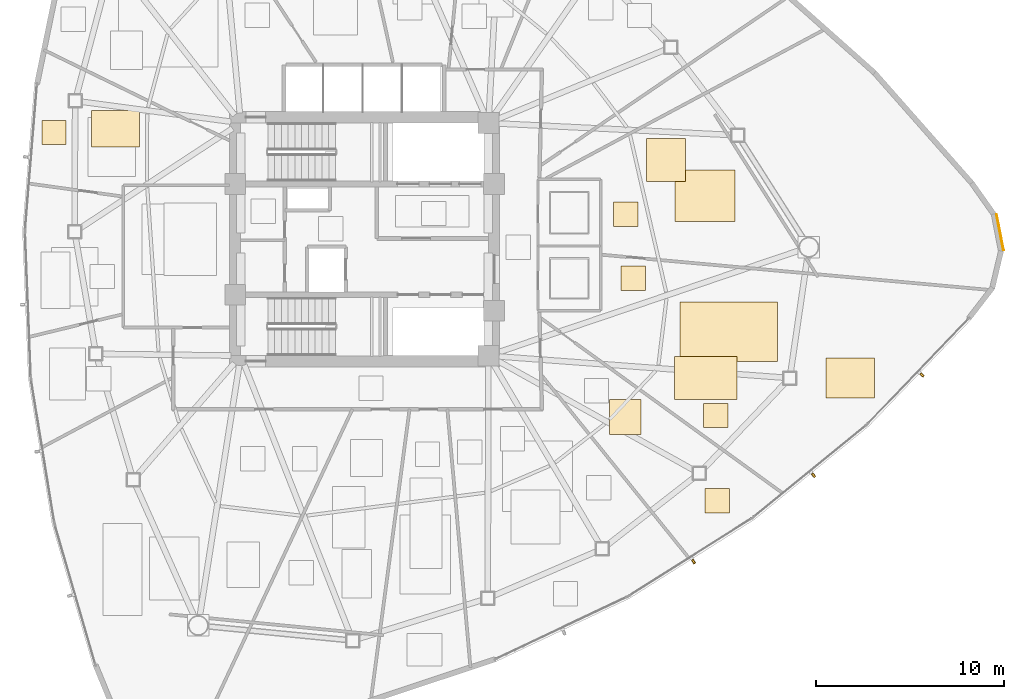
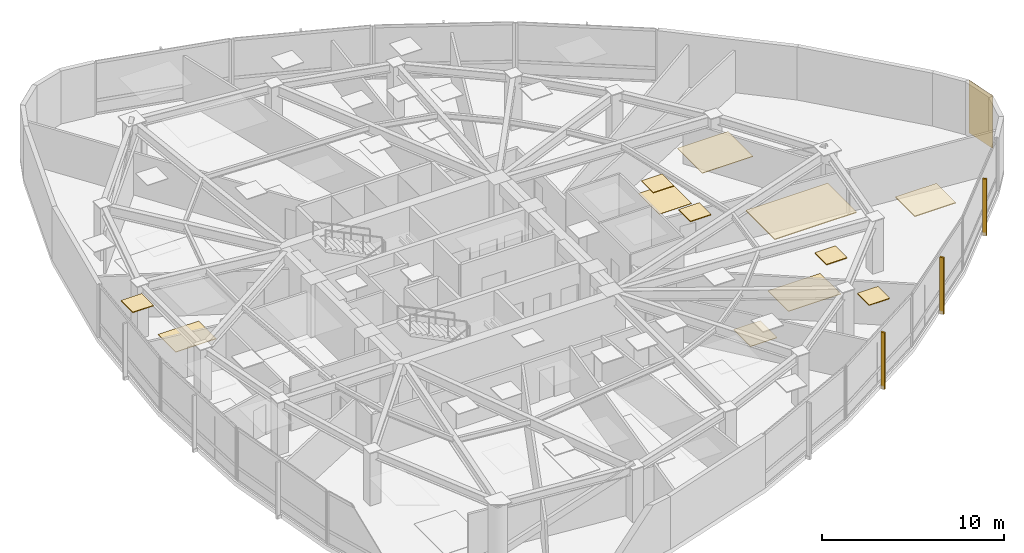
# One storey, part 16 of 17: 13 coverings, 3 shading devices.
"""IFC4 building model written with IfcOpenShell, lengths in metres."""

from ifc_helpers import new_model, si_unit, direction, frame, origin, origin_2d, place, context, subcontext, project, spatial, polyline, rectangle, outline, extrude, source, transform, mapped, material, layer, layer_set, type_object, type_shapes, element, save


model = new_model("IFC4")

# Units and contexts
model_context = context("Model", 3, precision=1e-05, world=origin(), true_north=direction((0.0, 1.0)))
body_context = subcontext(model_context, "Body", "Model", "MODEL_VIEW")
ifc_project = project(units=[si_unit("LENGTHUNIT", "METRE"), si_unit("AREAUNIT", "SQUARE_METRE"), si_unit("VOLUMEUNIT", "CUBIC_METRE"), si_unit("PLANEANGLEUNIT", "RADIAN"), si_unit("MASSUNIT", "GRAM", prefix="KILO")], contexts=[model_context])

# Site, building, storey
site_placement = place(None, origin())
site = spatial("IfcSite", under=ifc_project, at=site_placement, CompositionType="ELEMENT")
building_placement = place(site_placement, origin())
building = spatial("IfcBuilding", under=site, at=building_placement, Name="Tavelor Broadcast Tower", CompositionType="ELEMENT")
storey_placement = place(building_placement, frame((0.0, 0.0, 154.10009765625)))
storey = spatial("IfcBuildingStorey", under=building, at=storey_placement, Name="L36", CompositionType="ELEMENT", Elevation=154.10009765625)

# Coverings
ifc_material_1 = material(Name="Copper-Bronze Anodized Aluminium", Category="aluminium")
ifc_layer_1 = layer(ifc_material_1, 0.050048828125)
ifc_layer_set_1 = layer_set([ifc_layer_1], Name="Copper-Bronze Anodized Aluminium")
covering_type_1 = type_object("IfcCoveringType", Name="Champagne-Bronze Corner Pier Metal Cladding 50 mm", PredefinedType="CLADDING", material=ifc_layer_set_1)
covering_1_placement = place(storey_placement, frame((83.86279296875, 45.376708984375, 0.02001953125), z_axis=(0.0, 0.0, 1.0), x_axis=(-0.189952291512, 0.981793321911, 0.0)))
element("IfcCovering", 1, at=covering_1_placement, inside=storey, type_object=covering_type_1, Name="L36 Champagne-Bronze Corner Cladding 23", PredefinedType="CLADDING", context=body_context, shape_type="SweptSolid", body=[
    extrude(rectangle(XDim=1.967041015625, YDim=0.050048828125, at=origin_2d()), origin(), (0.0, 0.0, 1.0), 3.510009765625),
])
ifc_material_2 = material(Name="Acoustic Nylon Carpet Tile")
ifc_layer_2 = layer(ifc_material_2, 0.02001953125)
ifc_layer_set_2 = layer_set([ifc_layer_2], Name="Acoustic Nylon Carpet Tile")
covering_type_2 = type_object("IfcCoveringType", Name="Heavy-Duty Acoustic Broadcast Carpet Tile 20 mm", PredefinedType="FLOORING", material=ifc_layer_set_2)
covering_2_placement = place(storey_placement, origin())
element("IfcCovering", 2, at=covering_2_placement, inside=storey, type_object=covering_type_2, Name="L36 Broadcast Floor Finish 0534", PredefinedType="FLOORING", context=body_context, shape_type="SweptSolid", body=[
    extrude(outline(polyline([(65.030517578125, 48.08740234375), (67.089599609375, 48.08740234375), (67.089599609375, 50.378173828125), (65.030517578125, 50.378173828125), (65.030517578125, 48.08740234375)])), origin(), (0.0, 0.0, 1.0), 0.02001953125),
])
ifc_material_3 = material(Name="Acoustic Hardwood Studio Flooring", Category="wood")
ifc_layer_3 = layer(ifc_material_3, 0.034912109375)
ifc_layer_set_3 = layer_set([ifc_layer_3], Name="Acoustic Hardwood Studio Flooring")
covering_type_3 = type_object("IfcCoveringType", Name="Isolated Studio Acoustic Elastomeric Floor Finish 35 mm", PredefinedType="FLOORING", material=ifc_layer_set_3)
covering_3_placement = place(storey_placement, origin())
element("IfcCovering", 3, at=covering_3_placement, inside=storey, type_object=covering_type_3, Name="L36 Broadcast Floor Finish 0520", PredefinedType="FLOORING", context=body_context, shape_type="SweptSolid", body=[
    extrude(outline(polyline([(66.523193359375, 36.475341796875), (69.848388671875, 36.475341796875), (69.848388671875, 38.7451171875), (66.523193359375, 38.7451171875), (66.523193359375, 36.475341796875)])), origin(), (0.0, 0.0, 1.0), 0.034912109375),
])
covering_4_placement = place(storey_placement, origin())
element("IfcCovering", 4, at=covering_4_placement, inside=storey, type_object=covering_type_3, Name="L36 Broadcast Floor Finish 0521", PredefinedType="FLOORING", context=body_context, shape_type="SweptSolid", body=[
    extrude(outline(polyline([(63.0400390625, 34.5966796875), (64.72705078125, 34.5966796875), (64.72705078125, 36.469482421875), (63.0400390625, 36.469482421875), (63.0400390625, 34.5966796875)])), origin(), (0.0, 0.0, 1.0), 0.034912109375),
])
covering_5_placement = place(storey_placement, origin())
element("IfcCovering", 5, at=covering_5_placement, inside=storey, type_object=covering_type_3, Name="L36 Broadcast Floor Finish 0528", PredefinedType="FLOORING", context=body_context, shape_type="SweptSolid", body=[
    extrude(outline(polyline([(35.43505859375, 49.914306640625), (38.00634765625, 49.914306640625), (38.00634765625, 51.856689453125), (35.43505859375, 51.856689453125), (35.43505859375, 49.914306640625)])), origin(), (0.0, 0.0, 1.0), 0.034912109375),
])
ifc_material_4 = material(Name="Acoustic Perforated Timber Baffle", Category="wood")
ifc_layer_4 = layer(ifc_material_4, 0.054931640625)
ifc_layer_set_4 = layer_set([ifc_layer_4], Name="Acoustic Perforated Timber Baffle")
covering_type_4 = type_object("IfcCoveringType", Name="Micro-Perforated Acoustic Baffle Studio Ceiling 55 mm", PredefinedType="CEILING", material=ifc_layer_set_4)
covering_6_placement = place(storey_placement, frame((0.0, 0.0, 3.494873046875)))
element("IfcCovering", 6, at=covering_6_placement, inside=storey, type_object=covering_type_4, Name="L36 Suspended Acoustic Ceiling 1474", PredefinedType="CEILING", context=body_context, shape_type="SweptSolid", body=[
    extrude(outline(polyline([(63.66259765625, 42.276611328125), (64.962646484375, 42.276611328125), (64.962646484375, 43.57666015625), (63.66259765625, 43.57666015625), (63.66259765625, 42.276611328125)])), origin(), (0.0, 0.0, 1.0), 0.054931640625),
])
covering_7_placement = place(storey_placement, frame((0.0, 0.0, 3.494873046875)))
element("IfcCovering", 7, at=covering_7_placement, inside=storey, type_object=covering_type_4, Name="L36 Suspended Acoustic Ceiling 1475", PredefinedType="CEILING", context=body_context, shape_type="SweptSolid", body=[
    extrude(outline(polyline([(66.817138671875, 38.479248046875), (72.010009765625, 38.479248046875), (72.010009765625, 41.66943359375), (66.817138671875, 41.66943359375), (66.817138671875, 38.479248046875)])), origin(), (0.0, 0.0, 1.0), 0.054931640625),
])
covering_8_placement = place(storey_placement, frame((0.0, 0.0, 3.494873046875)))
element("IfcCovering", 8, at=covering_8_placement, inside=storey, type_object=covering_type_4, Name="L36 Suspended Acoustic Ceiling 1476", PredefinedType="CEILING", context=body_context, shape_type="SweptSolid", body=[
    extrude(outline(polyline([(74.577392578125, 36.540283203125), (77.1708984375, 36.540283203125), (77.1708984375, 38.674560546875), (74.577392578125, 38.674560546875), (74.577392578125, 36.540283203125)])), origin(), (0.0, 0.0, 1.0), 0.054931640625),
])
covering_9_placement = place(storey_placement, frame((0.0, 0.0, 3.494873046875)))
element("IfcCovering", 9, at=covering_9_placement, inside=storey, type_object=covering_type_4, Name="L36 Suspended Acoustic Ceiling 1477", PredefinedType="CEILING", context=body_context, shape_type="SweptSolid", body=[
    extrude(outline(polyline([(68.0712890625, 34.963134765625), (69.371337890625, 34.963134765625), (69.371337890625, 36.26318359375), (68.0712890625, 36.26318359375), (68.0712890625, 34.963134765625)])), origin(), (0.0, 0.0, 1.0), 0.054931640625),
])
covering_10_placement = place(storey_placement, frame((0.0, 0.0, 3.494873046875)))
element("IfcCovering", 10, at=covering_10_placement, inside=storey, type_object=covering_type_4, Name="L36 Suspended Acoustic Ceiling 1479", PredefinedType="CEILING", context=body_context, shape_type="SweptSolid", body=[
    extrude(outline(polyline([(68.153564453125, 30.429443359375), (69.45361328125, 30.429443359375), (69.45361328125, 31.7294921875), (68.153564453125, 31.7294921875), (68.153564453125, 30.429443359375)])), origin(), (0.0, 0.0, 1.0), 0.054931640625),
])
covering_11_placement = place(storey_placement, frame((0.0, 0.0, 3.494873046875)))
element("IfcCovering", 11, at=covering_11_placement, inside=storey, type_object=covering_type_4, Name="L36 Suspended Acoustic Ceiling 1498", PredefinedType="CEILING", context=body_context, shape_type="SweptSolid", body=[
    extrude(outline(polyline([(32.796142578125, 50.044189453125), (34.09619140625, 50.044189453125), (34.09619140625, 51.343994140625), (32.796142578125, 51.343994140625), (32.796142578125, 50.044189453125)])), origin(), (0.0, 0.0, 1.0), 0.054931640625),
])
ifc_material_5 = material(Name="Acoustic Mineral Fibre Tile")
ifc_layer_5 = layer(ifc_material_5, 0.0400390625)
ifc_layer_set_5 = layer_set([ifc_layer_5], Name="Acoustic Mineral Fibre Tile")
covering_type_5 = type_object("IfcCoveringType", Name="Suspended Acoustic Mineral-Fibre Office Ceiling 40 mm", PredefinedType="CEILING", material=ifc_layer_set_5)
covering_12_placement = place(storey_placement, frame((0.0, 0.0, 3.510009765625)))
element("IfcCovering", 12, at=covering_12_placement, inside=storey, type_object=covering_type_5, Name="L36 Suspended Acoustic Ceiling 1516", PredefinedType="CEILING", context=body_context, shape_type="SweptSolid", body=[
    extrude(outline(polyline([(66.535400390625, 45.947265625), (69.748046875, 45.947265625), (69.748046875, 48.697509765625), (66.535400390625, 48.697509765625), (66.535400390625, 45.947265625)])), origin(), (0.0, 0.0, 1.0), 0.039794921875),
])
covering_13_placement = place(storey_placement, frame((0.0, 0.0, 3.510009765625)))
element("IfcCovering", 13, at=covering_13_placement, inside=storey, type_object=covering_type_5, Name="L36 Suspended Acoustic Ceiling 1517", PredefinedType="CEILING", context=body_context, shape_type="SweptSolid", body=[
    extrude(outline(polyline([(63.27099609375, 45.68359375), (64.57080078125, 45.68359375), (64.57080078125, 46.983642578125), (63.27099609375, 46.983642578125), (63.27099609375, 45.68359375)])), origin(), (0.0, 0.0, 1.0), 0.039794921875),
])

# Shading devices
ifc_material_6 = material(Name="Kiln-Fired Glazed Terracotta", Category="masonry")
shading_device_type = type_object("IfcShadingDeviceType", Name="Extruded Terracotta Baguette Sun-Screen 110x240", PredefinedType="JALOUSIE", material=ifc_material_6)
shared_shape = source(origin(), body_context, "Body", "SweptSolid", [
    extrude(rectangle(XDim=0.110107421875, YDim=0.239990234375, at=origin_2d()), origin(), (0.0, 0.0, 1.0), 3.7900390625),
])
type_shapes(shading_device_type, [shared_shape])
for number, where, z_axis, x_axis, name in (
    (14, (67.534423828125, 27.8251953125, -0.260009765625), (0.0, 0.0, 1.0), (0.845448305879, 0.534057264801, 0.0), "L36 Terracotta Baguette Fin 366"),
    (15, (73.924072265625, 32.42529296875, -0.260009765625), (0.0, 0.0, 1.0), (0.774613452723, 0.632434975995, 0.0), "L36 Terracotta Baguette Fin 367"),
    (16, (79.710205078125, 37.7646484375, -0.260009765625), (0.0, 0.0, 1.0), (0.692395073545, 0.721518580586, 0.0), "L36 Terracotta Baguette Fin 368"),
):
    element("IfcShadingDevice", number, at=place(storey_placement, frame(where, z_axis=z_axis, x_axis=x_axis)), inside=storey, type_object=shading_device_type, Name=name, PredefinedType="JALOUSIE", context=body_context, shape_type="MappedRepresentation", body=[
        mapped(shared_shape, transform((0.0, 0.0, 0.0), scale=1.0)),
    ])

save(model, "model.ifc")
